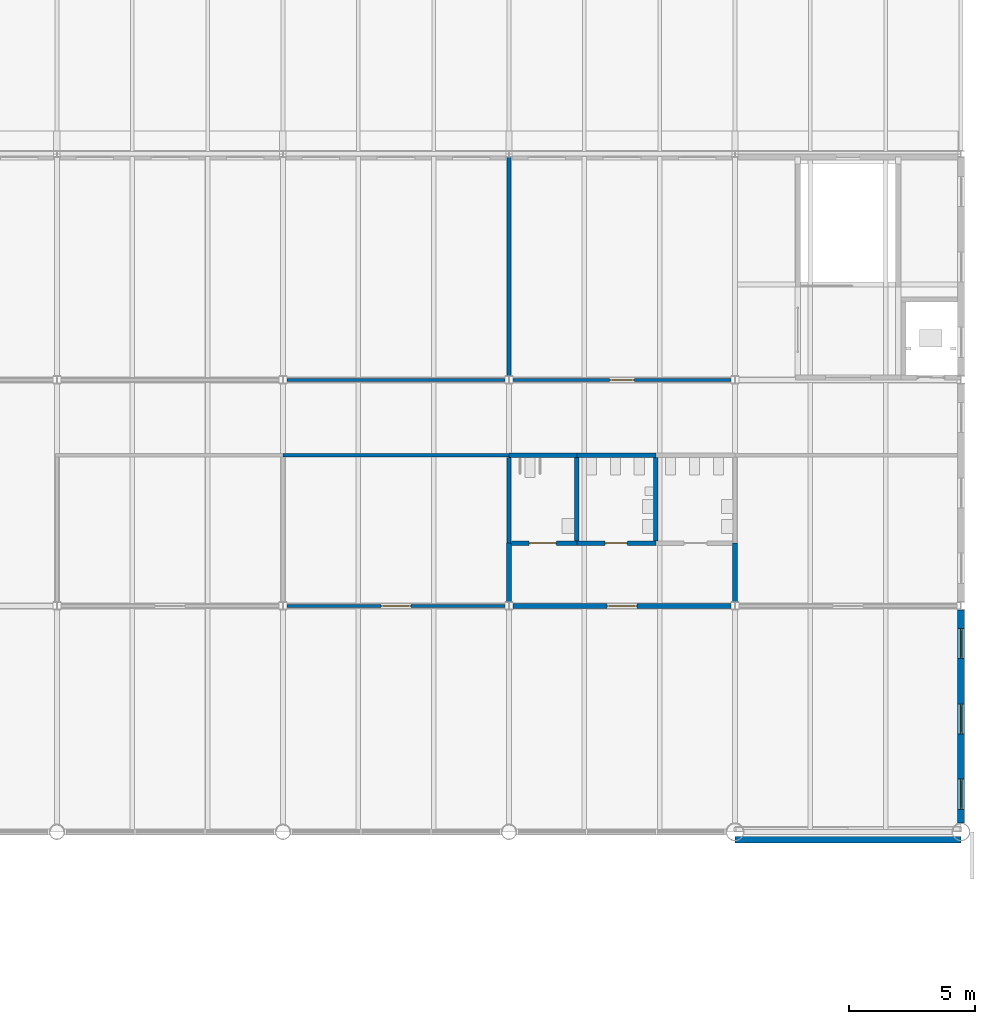
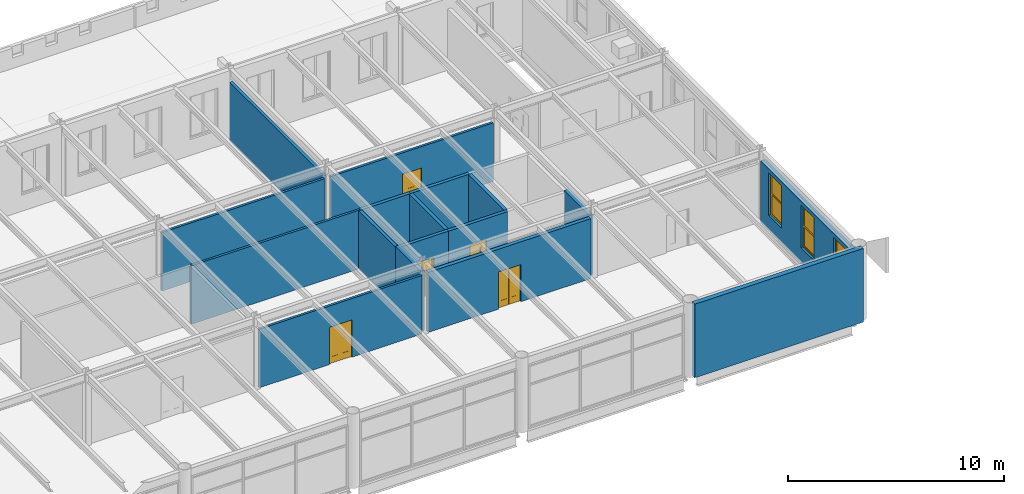
# One storey, part 82 of 123: 17 walls, 5 doors, 3 windows, 8 openings.
"""IFC4 building model written with IfcOpenShell, lengths in metres."""

from ifc_helpers import new_model, si_unit, direction, frame, frame_2d, origin, place, context, subcontext, project, spatial, polyline, rectangle, outline, extrude, material, layer, layer_set, type_object, element, fill, save


model = new_model("IFC4")

# Units and contexts
model_context = context("Model", 3, precision=1e-05, world=origin(), true_north=direction((0.0, 1.0)))
body_context = subcontext(model_context, "Body", "Model", "MODEL_VIEW")
ifc_project = project(units=[si_unit("LENGTHUNIT", "METRE"), si_unit("AREAUNIT", "SQUARE_METRE"), si_unit("VOLUMEUNIT", "CUBIC_METRE"), si_unit("PLANEANGLEUNIT", "RADIAN"), si_unit("MASSUNIT", "GRAM", prefix="KILO")], contexts=[model_context])

# Site, building, storey
site_placement = place(None, origin())
site = spatial("IfcSite", under=ifc_project, at=site_placement, CompositionType="ELEMENT")
building_placement = place(site_placement, origin())
building = spatial("IfcBuilding", under=site, at=building_placement, Name="Baradari Gate Terminus", CompositionType="ELEMENT")
storey_placement = place(building_placement, frame((0.0, 0.0, 7.5)))
storey = spatial("IfcBuildingStorey", under=building, at=storey_placement, Name="L01", CompositionType="ELEMENT", Elevation=7.5)

# Walls
ifc_material_1 = material(Name="Gypsum board")
ifc_layer_1 = layer(ifc_material_1, 0.125)
ifc_layer_set_1 = layer_set([ifc_layer_1], Name="Gypsum board")
wall_type_1 = type_object("IfcWallType", Name="Corridor partition PT-5 125 EI 30", PredefinedType="PARTITIONING", material=ifc_layer_set_1)
wall_1_placement = place(storey_placement, frame((225.0, 96.0, 0.0), z_axis=(0.0, 0.0, 1.0), x_axis=(-1.0, 0.0, 0.0)))
element("IfcWall", 1, at=wall_1_placement, inside=storey, type_object=wall_type_1, Name="PT-5 partition Corridor (Service Corridor East) / Station Office 8", PredefinedType="PARTITIONING", context=body_context, shape_type="SweptSolid", body=[
    extrude(rectangle(XDim=9.0, YDim=0.125, at=frame_2d((4.5, 0.0))), origin(), (0.0, 0.0, 1.0), 3.306884765625),
])
wall_2_placement = place(storey_placement, frame((216.15380859375, 99.0, 0.0), z_axis=(0.0, 0.0, 1.0), x_axis=(1.0, 0.0, 0.0)))
element("IfcWall", 2, at=wall_2_placement, inside=storey, type_object=wall_type_1, Name="PT-5 partition Corridor (Service Corridor East) / Open Office", PredefinedType="PARTITIONING", context=body_context, shape_type="SweptSolid", body=[
    extrude(rectangle(XDim=8.6923828125, YDim=0.125, at=frame_2d((4.34619140625, 0.0))), origin(), (0.0, 0.0, 1.0), 3.306884765625),
])

# Wall, opening, door
wall_3_placement = place(storey_placement, frame((225.15380859375, 99.0, 0.0), z_axis=(0.0, 0.0, 1.0), x_axis=(1.0, 0.0, 0.0)))
wall_3 = element("IfcWall", 3, at=wall_3_placement, inside=storey, type_object=wall_type_1, Name="PT-5 partition Corridor (Service Corridor East) / Archive Store", PredefinedType="PARTITIONING", context=body_context, shape_type="SweptSolid", body=[
    extrude(rectangle(XDim=8.6923828125, YDim=0.125, at=frame_2d((4.34619140625, 0.0))), origin(), (0.0, 0.0, 1.0), 3.306884765625),
])
opening_1_placement = place(wall_3_placement, frame((3.84619140625, 0.0, 0.0)))
opening_1 = element("IfcOpeningElement", 4, at=opening_1_placement, cuts=wall_3, Name="Opening D01-060", PredefinedType="OPENING", context=body_context, shape_type="SweptSolid", body=[
    extrude(rectangle(XDim=1.0, YDim=2.10009765625, at=frame_2d((0.5, 1.050048828125))), frame((0.0, 0.072509765625, 0.0), z_axis=(0.0, -1.0, 0.0), x_axis=(1.0, 0.0, 0.0)), (0.0, 0.0, 1.0), 0.14501953125),
])
ifc_material_2 = material(Name="Steel S275", Category="steel")
door_type_1 = type_object("IfcDoorType", Name="Fire door FI-1000-FD30S 1000x2100 FD30S", OperationType="SINGLE_SWING_LEFT", PredefinedType="DOOR", material=ifc_material_2)
door_1_placement = place(opening_1_placement, origin())
door_1 = element("IfcDoor", 5, at=door_1_placement, inside=storey, type_object=door_type_1, Name="Door Archive Store", OperationType="SINGLE_SWING_LEFT", OverallHeight=2.1, OverallWidth=1.0, PredefinedType="DOOR", context=body_context, shape_type="SweptSolid", body=[
    extrude(outline(polyline([(0.0, 0.0), (0.070068359375, 0.0), (0.070068359375, 2.030029296875), (0.929931640625, 2.030029296875), (0.929931640625, 0.0), (1.0, 0.0), (1.0, 2.10009765625), (0.0, 2.10009765625), (0.0, 0.0)])), frame((0.0, 0.02490234375, 0.0), z_axis=(0.0, -1.0, 0.0), x_axis=(1.0, 0.0, 0.0)), (0.0, 0.0, 1.0), 0.050048828125),
    extrude(outline(polyline([(0.073974609375, 0.010009765625), (0.926025390625, 0.010009765625), (0.926025390625, 2.026123046875), (0.073974609375, 2.026123046875), (0.073974609375, 0.010009765625)]), holes=[polyline([(0.194091796875, 0.159912109375), (0.805908203125, 0.159912109375), (0.805908203125, 1.010009765625), (0.194091796875, 1.010009765625), (0.194091796875, 0.159912109375)]), polyline([(0.35009765625, 1.159912109375), (0.64990234375, 1.159912109375), (0.64990234375, 1.760009765625), (0.35009765625, 1.760009765625), (0.35009765625, 1.159912109375)])]), frame((0.0, 0.017333984375, 0.0), z_axis=(0.0, -1.0, 0.0), x_axis=(1.0, 0.0, 0.0)), (0.0, 0.0, 1.0), 0.034912109375),
    extrude(rectangle(XDim=0.61181640625, YDim=0.85009765625, at=frame_2d((0.5, 0.5849609375))), frame((0.0, 0.008544921875, 0.0), z_axis=(0.0, -1.0, 0.0), x_axis=(1.0, 0.0, 0.0)), (0.0, 0.0, 1.0), 0.017333984375),
    extrude(rectangle(XDim=0.2998046875, YDim=0.60009765625, at=frame_2d((0.5, 1.4599609375))), frame((0.0, 0.005859375, 0.0), z_axis=(0.0, -1.0, 0.0), x_axis=(1.0, 0.0, 0.0)), (0.0, 0.0, 1.0), 0.011962890625),
])
fill(opening_1, door_1)

wall_4_placement = place(storey_placement, frame((216.15380859375, 90.0, 0.0), z_axis=(0.0, 0.0, 1.0), x_axis=(1.0, 0.0, 0.0)))
wall_4 = element("IfcWall", 6, at=wall_4_placement, inside=storey, type_object=wall_type_1, Name="PT-5 partition Gallery / Station Office 8", PredefinedType="PARTITIONING", context=body_context, shape_type="SweptSolid", body=[
    extrude(rectangle(XDim=8.6923828125, YDim=0.125, at=frame_2d((4.34619140625, 0.0))), origin(), (0.0, 0.0, 1.0), 3.306884765625),
])
opening_2_placement = place(wall_4_placement, frame((3.746337890625, 0.0, 0.0)))
opening_2 = element("IfcOpeningElement", 7, at=opening_2_placement, cuts=wall_4, Name="Opening D01-046", PredefinedType="OPENING", context=body_context, shape_type="SweptSolid", body=[
    extrude(rectangle(XDim=1.199951171875, YDim=2.10009765625, at=frame_2d((0.60009765625, 1.050048828125))), frame((0.0, 0.072509765625, 0.0), z_axis=(0.0, -1.0, 0.0), x_axis=(1.0, 0.0, 0.0)), (0.0, 0.0, 1.0), 0.14501953125),
])
ifc_material_3 = material(Name="Steel S275", Category="steel")
door_type_2 = type_object("IfcDoorType", Name="Fire door FI-1200-FD30S 1200x2100 FD30S", OperationType="DOUBLE_DOOR_SINGLE_SWING", PredefinedType="DOOR", material=ifc_material_3)
door_2_placement = place(opening_2_placement, origin())
door_2 = element("IfcDoor", 8, at=door_2_placement, inside=storey, type_object=door_type_2, Name="Door Station Office 8", OperationType="DOUBLE_DOOR_SINGLE_SWING", OverallHeight=2.1, OverallWidth=1.2, PredefinedType="DOOR", context=body_context, shape_type="SweptSolid", body=[
    extrude(outline(polyline([(0.0, 0.0), (0.070068359375, 0.0), (0.070068359375, 2.030029296875), (1.1298828125, 2.030029296875), (1.1298828125, 0.0), (1.199951171875, 0.0), (1.199951171875, 2.10009765625), (0.0, 2.10009765625), (0.0, 0.0)])), frame((0.0, 0.02490234375, 0.0), z_axis=(0.0, -1.0, 0.0), x_axis=(1.0, 0.0, 0.0)), (0.0, 0.0, 1.0), 0.050048828125),
    extrude(outline(polyline([(0.073974609375, 0.010009765625), (0.596923828125, 0.010009765625), (0.596923828125, 2.026123046875), (0.073974609375, 2.026123046875), (0.073974609375, 0.010009765625)]), holes=[polyline([(0.178466796875, 0.372802734375), (0.492431640625, 0.372802734375), (0.492431640625, 1.7841796875), (0.178466796875, 1.7841796875), (0.178466796875, 0.372802734375)])]), frame((0.0, 0.017333984375, 0.0), z_axis=(0.0, -1.0, 0.0), x_axis=(1.0, 0.0, 0.0)), (0.0, 0.0, 1.0), 0.034912109375),
    extrude(rectangle(XDim=0.31396484375, YDim=1.411376953125, at=frame_2d((0.33544921875, 1.07861328125))), frame((0.0, 0.008544921875, 0.0), z_axis=(0.0, -1.0, 0.0), x_axis=(1.0, 0.0, 0.0)), (0.0, 0.0, 1.0), 0.017333984375),
    extrude(outline(polyline([(0.60302734375, 0.010009765625), (1.1259765625, 0.010009765625), (1.1259765625, 2.026123046875), (0.60302734375, 2.026123046875), (0.60302734375, 0.010009765625)]), holes=[polyline([(0.70751953125, 0.372802734375), (1.021484375, 0.372802734375), (1.021484375, 1.7841796875), (0.70751953125, 1.7841796875), (0.70751953125, 0.372802734375)])]), frame((0.0, 0.017333984375, 0.0), z_axis=(0.0, -1.0, 0.0), x_axis=(1.0, 0.0, 0.0)), (0.0, 0.0, 1.0), 0.034912109375),
    extrude(rectangle(XDim=0.31396484375, YDim=1.411376953125, at=frame_2d((0.864501953125, 1.07861328125))), frame((0.0, 0.008544921875, 0.0), z_axis=(0.0, -1.0, 0.0), x_axis=(1.0, 0.0, 0.0)), (0.0, 0.0, 1.0), 0.017333984375),
])
fill(opening_2, door_2)

# Wall, openings, windows
ifc_material_4 = material(Name="Concrete C40/50 precast", Category="concrete")
ifc_layer_2 = layer(ifc_material_4, 0.23)
ifc_material_5 = material(Name="Reconstituted stone", Category="masonry")
ifc_layer_3 = layer(ifc_material_5, 0.05)
ifc_layer_set_2 = layer_set([ifc_layer_2, ifc_layer_3], Name="Concrete C40/50 precast")
wall_type_2 = type_object("IfcWallType", Name="End wall WE-1 280", PredefinedType="SOLIDWALL", material=ifc_layer_set_2)
wall_5_placement = place(storey_placement, frame((243.0, 81.35546875, 0.0), z_axis=(0.0, 0.0, 1.0), x_axis=(0.0, 1.0, 0.0)))
wall_5 = element("IfcWall", 9, at=wall_5_placement, inside=storey, type_object=wall_type_2, Name="east end wall HE bay 10 L01", PredefinedType="SOLIDWALL", context=body_context, shape_type="SweptSolid", body=[
    extrude(rectangle(XDim=8.4873046875, YDim=0.280029296875, at=frame_2d((4.24365234375, 0.0))), origin(), (0.0, 0.0, 1.0), 3.516845703125),
])
opening_3_placement = place(wall_5_placement, frame((0.54443359375, 0.0, 0.89990234375)))
opening_3 = element("IfcOpeningElement", 10, at=opening_3_placement, cuts=wall_5, Name="Opening W12", PredefinedType="OPENING", context=body_context, shape_type="SweptSolid", body=[
    extrude(rectangle(XDim=1.199951171875, YDim=2.39990234375, at=frame_2d((0.60009765625, 1.199951171875))), frame((0.0, 0.14990234375, 0.0), z_axis=(0.0, -1.0, 0.0), x_axis=(1.0, 0.0, 0.0)), (0.0, 0.0, 1.0), 0.300048828125),
])
opening_4_placement = place(wall_5_placement, frame((3.54443359375, 0.0, 0.89990234375)))
opening_4 = element("IfcOpeningElement", 11, at=opening_4_placement, cuts=wall_5, Name="Opening W12", PredefinedType="OPENING", context=body_context, shape_type="SweptSolid", body=[
    extrude(rectangle(XDim=1.199951171875, YDim=2.39990234375, at=frame_2d((0.60009765625, 1.199951171875))), frame((0.0, 0.14990234375, 0.0), z_axis=(0.0, -1.0, 0.0), x_axis=(1.0, 0.0, 0.0)), (0.0, 0.0, 1.0), 0.300048828125),
])
opening_5_placement = place(wall_5_placement, frame((6.54443359375, 0.0, 0.89990234375)))
opening_5 = element("IfcOpeningElement", 12, at=opening_5_placement, cuts=wall_5, Name="Opening W12", PredefinedType="OPENING", context=body_context, shape_type="SweptSolid", body=[
    extrude(rectangle(XDim=1.199951171875, YDim=2.39990234375, at=frame_2d((0.60009765625, 1.199951171875))), frame((0.0, 0.14990234375, 0.0), z_axis=(0.0, -1.0, 0.0), x_axis=(1.0, 0.0, 0.0)), (0.0, 0.0, 1.0), 0.300048828125),
])
ifc_material_6 = material(Name="Aluminium 6063-T6", Category="aluminium")
window_type = type_object("IfcWindowType", Name="End-wall window W12 1200x2400", PartitioningType="DOUBLE_PANEL_HORIZONTAL", PredefinedType="WINDOW", material=ifc_material_6)
window_1_placement = place(opening_3_placement, origin())
window_1 = element("IfcWindow", 13, at=window_1_placement, inside=storey, type_object=window_type, Name="Window W12 HE/09", OverallHeight=2.4, OverallWidth=1.2, PartitioningType="DOUBLE_PANEL_HORIZONTAL", PredefinedType="WINDOW", context=body_context, shape_type="SweptSolid", body=[
    extrude(outline(polyline([(0.0, 0.0), (1.199951171875, 0.0), (1.199951171875, 2.39990234375), (0.0, 2.39990234375), (0.0, 0.0)]), holes=[polyline([(0.070068359375, 0.070068359375), (1.1298828125, 0.070068359375), (1.1298828125, 2.329833984375), (0.070068359375, 2.329833984375), (0.070068359375, 0.070068359375)])]), frame((0.0, 0.030029296875, 0.0), z_axis=(0.0, -1.0, 0.0), x_axis=(1.0, 0.0, 0.0)), (0.0, 0.0, 1.0), 0.06005859375),
    extrude(rectangle(XDim=1.059814453125, YDim=0.0400390625, at=frame_2d((0.60009765625, 1.199951171875))), frame((0.0, 0.021484375, 0.0), z_axis=(0.0, -1.0, 0.0), x_axis=(1.0, 0.0, 0.0)), (0.0, 0.0, 1.0), 0.04296875),
    extrude(outline(polyline([(0.070068359375, 0.070068359375), (1.1298828125, 0.070068359375), (1.1298828125, 1.179931640625), (0.070068359375, 1.179931640625), (0.070068359375, 0.070068359375)]), holes=[polyline([(0.10009765625, 0.10009765625), (1.099853515625, 0.10009765625), (1.099853515625, 1.14990234375), (0.10009765625, 1.14990234375), (0.10009765625, 0.10009765625)])]), frame((0.0, 0.0224609375, 0.0), z_axis=(0.0, -1.0, 0.0), x_axis=(1.0, 0.0, 0.0)), (0.0, 0.0, 1.0), 0.044921875),
    extrude(rectangle(XDim=0.999755859375, YDim=1.0498046875, at=frame_2d((0.60009765625, 0.625))), frame((0.0, 0.006103515625, 0.0), z_axis=(0.0, -1.0, 0.0), x_axis=(1.0, 0.0, 0.0)), (0.0, 0.0, 1.0), 0.01220703125),
    extrude(outline(polyline([(0.070068359375, 1.219970703125), (1.1298828125, 1.219970703125), (1.1298828125, 2.329833984375), (0.070068359375, 2.329833984375), (0.070068359375, 1.219970703125)]), holes=[polyline([(0.10009765625, 1.25), (1.099853515625, 1.25), (1.099853515625, 2.2998046875), (0.10009765625, 2.2998046875), (0.10009765625, 1.25)])]), frame((0.0, 0.0224609375, 0.0), z_axis=(0.0, -1.0, 0.0), x_axis=(1.0, 0.0, 0.0)), (0.0, 0.0, 1.0), 0.044921875),
    extrude(rectangle(XDim=0.999755859375, YDim=1.0498046875, at=frame_2d((0.60009765625, 1.77490234375))), frame((0.0, 0.006103515625, 0.0), z_axis=(0.0, -1.0, 0.0), x_axis=(1.0, 0.0, 0.0)), (0.0, 0.0, 1.0), 0.01220703125),
])
fill(opening_3, window_1)
window_2_placement = place(opening_4_placement, origin())
window_2 = element("IfcWindow", 14, at=window_2_placement, inside=storey, type_object=window_type, Name="Window W12 HE/09", OverallHeight=2.4, OverallWidth=1.2, PartitioningType="DOUBLE_PANEL_HORIZONTAL", PredefinedType="WINDOW", context=body_context, shape_type="SweptSolid", body=[
    extrude(outline(polyline([(0.0, 0.0), (1.199951171875, 0.0), (1.199951171875, 2.39990234375), (0.0, 2.39990234375), (0.0, 0.0)]), holes=[polyline([(0.070068359375, 0.070068359375), (1.1298828125, 0.070068359375), (1.1298828125, 2.329833984375), (0.070068359375, 2.329833984375), (0.070068359375, 0.070068359375)])]), frame((0.0, 0.030029296875, 0.0), z_axis=(0.0, -1.0, 0.0), x_axis=(1.0, 0.0, 0.0)), (0.0, 0.0, 1.0), 0.06005859375),
    extrude(rectangle(XDim=1.059814453125, YDim=0.0400390625, at=frame_2d((0.60009765625, 1.199951171875))), frame((0.0, 0.021484375, 0.0), z_axis=(0.0, -1.0, 0.0), x_axis=(1.0, 0.0, 0.0)), (0.0, 0.0, 1.0), 0.04296875),
    extrude(outline(polyline([(0.070068359375, 0.070068359375), (1.1298828125, 0.070068359375), (1.1298828125, 1.179931640625), (0.070068359375, 1.179931640625), (0.070068359375, 0.070068359375)]), holes=[polyline([(0.10009765625, 0.10009765625), (1.099853515625, 0.10009765625), (1.099853515625, 1.14990234375), (0.10009765625, 1.14990234375), (0.10009765625, 0.10009765625)])]), frame((0.0, 0.0224609375, 0.0), z_axis=(0.0, -1.0, 0.0), x_axis=(1.0, 0.0, 0.0)), (0.0, 0.0, 1.0), 0.044921875),
    extrude(rectangle(XDim=0.999755859375, YDim=1.0498046875, at=frame_2d((0.60009765625, 0.625))), frame((0.0, 0.006103515625, 0.0), z_axis=(0.0, -1.0, 0.0), x_axis=(1.0, 0.0, 0.0)), (0.0, 0.0, 1.0), 0.01220703125),
    extrude(outline(polyline([(0.070068359375, 1.219970703125), (1.1298828125, 1.219970703125), (1.1298828125, 2.329833984375), (0.070068359375, 2.329833984375), (0.070068359375, 1.219970703125)]), holes=[polyline([(0.10009765625, 1.25), (1.099853515625, 1.25), (1.099853515625, 2.2998046875), (0.10009765625, 2.2998046875), (0.10009765625, 1.25)])]), frame((0.0, 0.0224609375, 0.0), z_axis=(0.0, -1.0, 0.0), x_axis=(1.0, 0.0, 0.0)), (0.0, 0.0, 1.0), 0.044921875),
    extrude(rectangle(XDim=0.999755859375, YDim=1.0498046875, at=frame_2d((0.60009765625, 1.77490234375))), frame((0.0, 0.006103515625, 0.0), z_axis=(0.0, -1.0, 0.0), x_axis=(1.0, 0.0, 0.0)), (0.0, 0.0, 1.0), 0.01220703125),
])
fill(opening_4, window_2)
window_3_placement = place(opening_5_placement, origin())
window_3 = element("IfcWindow", 15, at=window_3_placement, inside=storey, type_object=window_type, Name="Window W12 HE/09", OverallHeight=2.4, OverallWidth=1.2, PartitioningType="DOUBLE_PANEL_HORIZONTAL", PredefinedType="WINDOW", context=body_context, shape_type="SweptSolid", body=[
    extrude(outline(polyline([(0.0, 0.0), (1.199951171875, 0.0), (1.199951171875, 2.39990234375), (0.0, 2.39990234375), (0.0, 0.0)]), holes=[polyline([(0.070068359375, 0.070068359375), (1.1298828125, 0.070068359375), (1.1298828125, 2.329833984375), (0.070068359375, 2.329833984375), (0.070068359375, 0.070068359375)])]), frame((0.0, 0.030029296875, 0.0), z_axis=(0.0, -1.0, 0.0), x_axis=(1.0, 0.0, 0.0)), (0.0, 0.0, 1.0), 0.06005859375),
    extrude(rectangle(XDim=1.059814453125, YDim=0.0400390625, at=frame_2d((0.60009765625, 1.199951171875))), frame((0.0, 0.021484375, 0.0), z_axis=(0.0, -1.0, 0.0), x_axis=(1.0, 0.0, 0.0)), (0.0, 0.0, 1.0), 0.04296875),
    extrude(outline(polyline([(0.070068359375, 0.070068359375), (1.1298828125, 0.070068359375), (1.1298828125, 1.179931640625), (0.070068359375, 1.179931640625), (0.070068359375, 0.070068359375)]), holes=[polyline([(0.10009765625, 0.10009765625), (1.099853515625, 0.10009765625), (1.099853515625, 1.14990234375), (0.10009765625, 1.14990234375), (0.10009765625, 0.10009765625)])]), frame((0.0, 0.0224609375, 0.0), z_axis=(0.0, -1.0, 0.0), x_axis=(1.0, 0.0, 0.0)), (0.0, 0.0, 1.0), 0.044921875),
    extrude(rectangle(XDim=0.999755859375, YDim=1.0498046875, at=frame_2d((0.60009765625, 0.625))), frame((0.0, 0.006103515625, 0.0), z_axis=(0.0, -1.0, 0.0), x_axis=(1.0, 0.0, 0.0)), (0.0, 0.0, 1.0), 0.01220703125),
    extrude(outline(polyline([(0.070068359375, 1.219970703125), (1.1298828125, 1.219970703125), (1.1298828125, 2.329833984375), (0.070068359375, 2.329833984375), (0.070068359375, 1.219970703125)]), holes=[polyline([(0.10009765625, 1.25), (1.099853515625, 1.25), (1.099853515625, 2.2998046875), (0.10009765625, 2.2998046875), (0.10009765625, 1.25)])]), frame((0.0, 0.0224609375, 0.0), z_axis=(0.0, -1.0, 0.0), x_axis=(1.0, 0.0, 0.0)), (0.0, 0.0, 1.0), 0.044921875),
    extrude(rectangle(XDim=0.999755859375, YDim=1.0498046875, at=frame_2d((0.60009765625, 1.77490234375))), frame((0.0, 0.006103515625, 0.0), z_axis=(0.0, -1.0, 0.0), x_axis=(1.0, 0.0, 0.0)), (0.0, 0.0, 1.0), 0.01220703125),
])
fill(opening_5, window_3)

# Wall
ifc_material_7 = material(Name="Laterite masonry", Category="masonry")
ifc_layer_4 = layer(ifc_material_7, 0.25)
ifc_layer_set_3 = layer_set([ifc_layer_4], Name="Laterite masonry")
wall_type_3 = type_object("IfcWallType", Name="Laterite masonry wall WP-1 250", PredefinedType="SOLIDWALL", material=ifc_layer_set_3)
wall_6_placement = place(storey_placement, frame((234.0, 80.68994140625, 0.0), z_axis=(0.0, 0.0, 1.0), x_axis=(1.0, 0.0, 0.0)))
element("IfcWall", 16, at=wall_6_placement, inside=storey, type_object=wall_type_3, Name="External wall platform side bay 26 L01", PredefinedType="SOLIDWALL", context=body_context, shape_type="SweptSolid", body=[
    extrude(rectangle(XDim=9.0, YDim=0.25, at=frame_2d((4.5, 0.0))), origin(), (0.0, 0.0, 1.0), 4.15869140625),
])

# Wall, opening, door
ifc_material_8 = material(Name="Blockwork wall, plastered, fire rated", Category="masonry")
ifc_layer_5 = layer(ifc_material_8, 0.199951171875)
ifc_layer_set_4 = layer_set([ifc_layer_5], Name="Blockwork wall, plastered, fire rated")
wall_type_4 = type_object("IfcWallType", Name="Lobby partition PT-4 200 EI 60", PredefinedType="PARTITIONING", material=ifc_layer_set_4)
wall_7_placement = place(storey_placement, frame((225.15380859375, 90.0, 0.0), z_axis=(0.0, 0.0, 1.0), x_axis=(1.0, 0.0, 0.0)))
wall_7 = element("IfcWall", 17, at=wall_7_placement, inside=storey, type_object=wall_type_4, Name="PT-4 partition Gallery / WC Lobby", PredefinedType="PARTITIONING", context=body_context, shape_type="SweptSolid", body=[
    extrude(rectangle(XDim=8.6923828125, YDim=0.199951171875, at=frame_2d((4.34619140625, 0.0))), origin(), (0.0, 0.0, 1.0), 3.382080078125),
])
opening_6_placement = place(wall_7_placement, frame((3.746337890625, 0.0, 0.0)))
opening_6 = element("IfcOpeningElement", 18, at=opening_6_placement, cuts=wall_7, Name="Opening D01-047", PredefinedType="OPENING", context=body_context, shape_type="SweptSolid", body=[
    extrude(rectangle(XDim=1.199951171875, YDim=2.10009765625, at=frame_2d((0.60009765625, 1.050048828125))), frame((0.0, 0.10986328125, 0.0), z_axis=(0.0, -1.0, 0.0), x_axis=(1.0, 0.0, 0.0)), (0.0, 0.0, 1.0), 0.219970703125),
])
ifc_material_9 = material(Name="Steel S275", Category="steel")
door_type_3 = type_object("IfcDoorType", Name="Fire door FI-1200-FD60S 1200x2100 FD60S", OperationType="DOUBLE_DOOR_SINGLE_SWING", PredefinedType="DOOR", material=ifc_material_9)
door_3_placement = place(opening_6_placement, origin())
door_3 = element("IfcDoor", 19, at=door_3_placement, inside=storey, type_object=door_type_3, Name="Door WC Lobby", OperationType="DOUBLE_DOOR_SINGLE_SWING", OverallHeight=2.1, OverallWidth=1.2, PredefinedType="DOOR", context=body_context, shape_type="SweptSolid", body=[
    extrude(outline(polyline([(0.0, 0.0), (0.070068359375, 0.0), (0.070068359375, 2.030029296875), (1.1298828125, 2.030029296875), (1.1298828125, 0.0), (1.199951171875, 0.0), (1.199951171875, 2.10009765625), (0.0, 2.10009765625), (0.0, 0.0)])), frame((0.0, 0.02490234375, 0.0), z_axis=(0.0, -1.0, 0.0), x_axis=(1.0, 0.0, 0.0)), (0.0, 0.0, 1.0), 0.050048828125),
    extrude(outline(polyline([(0.073974609375, 0.010009765625), (0.596923828125, 0.010009765625), (0.596923828125, 2.026123046875), (0.073974609375, 2.026123046875), (0.073974609375, 0.010009765625)]), holes=[polyline([(0.178466796875, 0.372802734375), (0.492431640625, 0.372802734375), (0.492431640625, 1.7841796875), (0.178466796875, 1.7841796875), (0.178466796875, 0.372802734375)])]), frame((0.0, 0.017333984375, 0.0), z_axis=(0.0, -1.0, 0.0), x_axis=(1.0, 0.0, 0.0)), (0.0, 0.0, 1.0), 0.034912109375),
    extrude(rectangle(XDim=0.31396484375, YDim=1.411376953125, at=frame_2d((0.33544921875, 1.07861328125))), frame((0.0, 0.008544921875, 0.0), z_axis=(0.0, -1.0, 0.0), x_axis=(1.0, 0.0, 0.0)), (0.0, 0.0, 1.0), 0.017333984375),
    extrude(outline(polyline([(0.60302734375, 0.010009765625), (1.1259765625, 0.010009765625), (1.1259765625, 2.026123046875), (0.60302734375, 2.026123046875), (0.60302734375, 0.010009765625)]), holes=[polyline([(0.70751953125, 0.372802734375), (1.021484375, 0.372802734375), (1.021484375, 1.7841796875), (0.70751953125, 1.7841796875), (0.70751953125, 0.372802734375)])]), frame((0.0, 0.017333984375, 0.0), z_axis=(0.0, -1.0, 0.0), x_axis=(1.0, 0.0, 0.0)), (0.0, 0.0, 1.0), 0.034912109375),
    extrude(rectangle(XDim=0.31396484375, YDim=1.411376953125, at=frame_2d((0.864501953125, 1.07861328125))), frame((0.0, 0.008544921875, 0.0), z_axis=(0.0, -1.0, 0.0), x_axis=(1.0, 0.0, 0.0)), (0.0, 0.0, 1.0), 0.017333984375),
])
fill(opening_6, door_3)

# Walls
for number, where, z_axis, x_axis, name in (
    (20, (225.0, 92.5, 0.0), (0.0, 0.0, 1.0), (0.0, -1.0, 0.0), "PT-4 partition Station Office 8 / WC Lobby"),
    (21, (234.0, 92.5, 0.0), (0.0, 0.0, 1.0), (0.0, -1.0, 0.0), "PT-4 partition WC Lobby / Station Office 9"),
):
    element("IfcWall", number, at=place(storey_placement, frame(where, z_axis=z_axis, x_axis=x_axis)), inside=storey, type_object=wall_type_4, Name=name, PredefinedType="PARTITIONING", context=body_context, shape_type="SweptSolid", body=[
        extrude(rectangle(XDim=2.3427734375, YDim=0.199951171875, at=frame_2d((1.17138671875, 0.0))), origin(), (0.0, 0.0, 1.0), 3.382080078125),
    ])
ifc_material_10 = material(Name="Blockwork wall, plastered", Category="masonry")
ifc_layer_6 = layer(ifc_material_10, 0.14990234375)
ifc_layer_set_5 = layer_set([ifc_layer_6], Name="Blockwork wall, plastered")
wall_type_5 = type_object("IfcWallType", Name="Partition PT-2 150 EI 60", PredefinedType="PARTITIONING", material=ifc_layer_set_5)
wall_8_placement = place(storey_placement, frame((225.0, 107.869873046875, 0.0), z_axis=(0.0, 0.0, 1.0), x_axis=(0.0, -1.0, 0.0)))
element("IfcWall", 22, at=wall_8_placement, inside=storey, type_object=wall_type_5, Name="PT-2 partition Open Office / Archive Store", PredefinedType="PARTITIONING", context=body_context, shape_type="SweptSolid", body=[
    extrude(rectangle(XDim=8.712646484375, YDim=0.14990234375, at=frame_2d((4.3564453125, 0.0))), origin(), (0.0, 0.0, 1.0), 3.306884765625),
])
ifc_material_11 = material(Name="Blockwork wall, tiled both faces", Category="masonry")
ifc_layer_7 = layer(ifc_material_11, 0.175048828125)
ifc_layer_set_6 = layer_set([ifc_layer_7], Name="Blockwork wall, tiled both faces")
wall_type_6 = type_object("IfcWallType", Name="WC wet wall PT-6 175 EI 60", PredefinedType="PARTITIONING", material=ifc_layer_set_6)
wall_9_placement = place(storey_placement, frame((227.699951171875, 96.0, 0.0), z_axis=(0.0, 0.0, 1.0), x_axis=(-1.0, 0.0, 0.0)))
element("IfcWall", 23, at=wall_9_placement, inside=storey, type_object=wall_type_6, Name="PT-6 partition Corridor (Service Corridor East) / Accessible WC", PredefinedType="PARTITIONING", context=body_context, shape_type="SweptSolid", body=[
    extrude(rectangle(XDim=2.699951171875, YDim=0.175048828125, at=frame_2d((1.35009765625, 0.0))), origin(), (0.0, 0.0, 1.0), 3.306884765625),
])
wall_10_placement = place(storey_placement, frame((230.85009765625, 96.0, 0.0), z_axis=(0.0, 0.0, 1.0), x_axis=(-1.0, 0.0, 0.0)))
element("IfcWall", 24, at=wall_10_placement, inside=storey, type_object=wall_type_6, Name="PT-6 partition Corridor (Service Corridor East) / Male WC", PredefinedType="PARTITIONING", context=body_context, shape_type="SweptSolid", body=[
    extrude(rectangle(XDim=3.150146484375, YDim=0.175048828125, at=frame_2d((1.5751953125, 0.0))), origin(), (0.0, 0.0, 1.0), 3.306884765625),
])
wall_11_placement = place(storey_placement, frame((225.0, 95.91259765625, 0.0), z_axis=(0.0, 0.0, 1.0), x_axis=(0.0, -1.0, 0.0)))
element("IfcWall", 25, at=wall_11_placement, inside=storey, type_object=wall_type_6, Name="PT-6 partition Station Office 8 / Accessible WC", PredefinedType="PARTITIONING", context=body_context, shape_type="SweptSolid", body=[
    extrude(rectangle(XDim=3.41259765625, YDim=0.175048828125, at=frame_2d((1.706298828125, 0.0))), origin(), (0.0, 0.0, 1.0), 3.306884765625),
])

# Wall, opening, door
wall_12_placement = place(storey_placement, frame((225.10009765625, 92.5, 0.0), z_axis=(0.0, 0.0, 1.0), x_axis=(1.0, 0.0, 0.0)))
wall_12 = element("IfcWall", 26, at=wall_12_placement, inside=storey, type_object=wall_type_6, Name="PT-6 partition WC Lobby / Accessible WC", PredefinedType="PARTITIONING", context=body_context, shape_type="SweptSolid", body=[
    extrude(rectangle(XDim=2.599853515625, YDim=0.175048828125, at=frame_2d((1.2998046875, 0.0))), origin(), (0.0, 0.0, 1.0), 3.306884765625),
])
opening_7_placement = place(wall_12_placement, frame((0.699951171875, 0.0, 0.0)))
opening_7 = element("IfcOpeningElement", 27, at=opening_7_placement, cuts=wall_12, Name="Opening D01-048", PredefinedType="OPENING", context=body_context, shape_type="SweptSolid", body=[
    extrude(rectangle(XDim=1.10009765625, YDim=2.10009765625, at=frame_2d((0.550048828125, 1.050048828125))), frame((0.0, 0.097412109375, 0.0), z_axis=(0.0, -1.0, 0.0), x_axis=(1.0, 0.0, 0.0)), (0.0, 0.0, 1.0), 0.195068359375),
])
ifc_material_12 = material(Name="Steel S275", Category="steel")
door_type_4 = type_object("IfcDoorType", Name="Fire door FI-1100-FD60S 1100x2100 FD60S", OperationType="SINGLE_SWING_LEFT", PredefinedType="DOOR", material=ifc_material_12)
door_4_placement = place(opening_7_placement, origin())
door_4 = element("IfcDoor", 28, at=door_4_placement, inside=storey, type_object=door_type_4, Name="Door Accessible WC", OperationType="SINGLE_SWING_LEFT", OverallHeight=2.1, OverallWidth=1.1, PredefinedType="DOOR", context=body_context, shape_type="SweptSolid", body=[
    extrude(outline(polyline([(0.0, 0.0), (0.070068359375, 0.0), (0.070068359375, 2.030029296875), (1.030029296875, 2.030029296875), (1.030029296875, 0.0), (1.10009765625, 0.0), (1.10009765625, 2.10009765625), (0.0, 2.10009765625), (0.0, 0.0)])), frame((0.0, 0.02490234375, 0.0), z_axis=(0.0, -1.0, 0.0), x_axis=(1.0, 0.0, 0.0)), (0.0, 0.0, 1.0), 0.050048828125),
    extrude(outline(polyline([(0.073974609375, 0.010009765625), (1.026123046875, 0.010009765625), (1.026123046875, 2.026123046875), (0.073974609375, 2.026123046875), (0.073974609375, 0.010009765625)]), holes=[polyline([(0.194091796875, 0.159912109375), (0.906005859375, 0.159912109375), (0.906005859375, 1.010009765625), (0.194091796875, 1.010009765625), (0.194091796875, 0.159912109375)]), polyline([(0.400146484375, 1.159912109375), (0.699951171875, 1.159912109375), (0.699951171875, 1.760009765625), (0.400146484375, 1.760009765625), (0.400146484375, 1.159912109375)])]), frame((0.0, 0.017333984375, 0.0), z_axis=(0.0, -1.0, 0.0), x_axis=(1.0, 0.0, 0.0)), (0.0, 0.0, 1.0), 0.034912109375),
    extrude(rectangle(XDim=0.7119140625, YDim=0.85009765625, at=frame_2d((0.550048828125, 0.5849609375))), frame((0.0, 0.008544921875, 0.0), z_axis=(0.0, -1.0, 0.0), x_axis=(1.0, 0.0, 0.0)), (0.0, 0.0, 1.0), 0.017333984375),
    extrude(rectangle(XDim=0.2998046875, YDim=0.60009765625, at=frame_2d((0.550048828125, 1.4599609375))), frame((0.0, 0.005859375, 0.0), z_axis=(0.0, -1.0, 0.0), x_axis=(1.0, 0.0, 0.0)), (0.0, 0.0, 1.0), 0.011962890625),
])
fill(opening_7, door_4)

wall_13_placement = place(storey_placement, frame((227.699951171875, 92.5, 0.0), z_axis=(0.0, 0.0, 1.0), x_axis=(1.0, 0.0, 0.0)))
wall_13 = element("IfcWall", 29, at=wall_13_placement, inside=storey, type_object=wall_type_6, Name="PT-6 partition WC Lobby / Male WC", PredefinedType="PARTITIONING", context=body_context, shape_type="SweptSolid", body=[
    extrude(rectangle(XDim=3.150146484375, YDim=0.175048828125, at=frame_2d((1.5751953125, 0.0))), origin(), (0.0, 0.0, 1.0), 3.306884765625),
])
opening_8_placement = place(wall_13_placement, frame((1.125, 0.0, 0.0)))
opening_8 = element("IfcOpeningElement", 30, at=opening_8_placement, cuts=wall_13, Name="Opening D01-049", PredefinedType="OPENING", context=body_context, shape_type="SweptSolid", body=[
    extrude(rectangle(XDim=0.89990234375, YDim=2.10009765625, at=frame_2d((0.449951171875, 1.050048828125))), frame((0.0, 0.097412109375, 0.0), z_axis=(0.0, -1.0, 0.0), x_axis=(1.0, 0.0, 0.0)), (0.0, 0.0, 1.0), 0.195068359375),
])
ifc_material_13 = material(Name="Steel S275", Category="steel")
door_type_5 = type_object("IfcDoorType", Name="Fire door FI-900-FD60S 900x2100 FD60S", OperationType="SINGLE_SWING_LEFT", PredefinedType="DOOR", material=ifc_material_13)
door_5_placement = place(opening_8_placement, origin())
door_5 = element("IfcDoor", 31, at=door_5_placement, inside=storey, type_object=door_type_5, Name="Door Male WC", OperationType="SINGLE_SWING_LEFT", OverallHeight=2.1, OverallWidth=0.9, PredefinedType="DOOR", context=body_context, shape_type="SweptSolid", body=[
    extrude(outline(polyline([(0.0, 0.0), (0.070068359375, 0.0), (0.070068359375, 2.030029296875), (0.829833984375, 2.030029296875), (0.829833984375, 0.0), (0.89990234375, 0.0), (0.89990234375, 2.10009765625), (0.0, 2.10009765625), (0.0, 0.0)])), frame((0.0, 0.02490234375, 0.0), z_axis=(0.0, -1.0, 0.0), x_axis=(1.0, 0.0, 0.0)), (0.0, 0.0, 1.0), 0.050048828125),
    extrude(outline(polyline([(0.073974609375, 0.010009765625), (0.825927734375, 0.010009765625), (0.825927734375, 2.026123046875), (0.073974609375, 2.026123046875), (0.073974609375, 0.010009765625)]), holes=[polyline([(0.194091796875, 0.159912109375), (0.705810546875, 0.159912109375), (0.705810546875, 1.010009765625), (0.194091796875, 1.010009765625), (0.194091796875, 0.159912109375)]), polyline([(0.300048828125, 1.159912109375), (0.599853515625, 1.159912109375), (0.599853515625, 1.760009765625), (0.300048828125, 1.760009765625), (0.300048828125, 1.159912109375)])]), frame((0.0, 0.017333984375, 0.0), z_axis=(0.0, -1.0, 0.0), x_axis=(1.0, 0.0, 0.0)), (0.0, 0.0, 1.0), 0.034912109375),
    extrude(rectangle(XDim=0.51171875, YDim=0.85009765625, at=frame_2d((0.449951171875, 0.5849609375))), frame((0.0, 0.008544921875, 0.0), z_axis=(0.0, -1.0, 0.0), x_axis=(1.0, 0.0, 0.0)), (0.0, 0.0, 1.0), 0.017333984375),
    extrude(rectangle(XDim=0.2998046875, YDim=0.60009765625, at=frame_2d((0.449951171875, 1.4599609375))), frame((0.0, 0.005859375, 0.0), z_axis=(0.0, -1.0, 0.0), x_axis=(1.0, 0.0, 0.0)), (0.0, 0.0, 1.0), 0.011962890625),
])
fill(opening_8, door_5)

# Walls
for number, where, z_axis, x_axis, name in (
    (32, (227.699951171875, 95.91259765625, 0.0), (0.0, 0.0, 1.0), (0.0, -1.0, 0.0), "PT-6 partition Accessible WC / Male WC"),
    (33, (230.85009765625, 95.91259765625, 0.0), (0.0, 0.0, 1.0), (0.0, -1.0, 0.0), "PT-6 partition Male WC / Female WC"),
):
    element("IfcWall", number, at=place(storey_placement, frame(where, z_axis=z_axis, x_axis=x_axis)), inside=storey, type_object=wall_type_6, Name=name, PredefinedType="PARTITIONING", context=body_context, shape_type="SweptSolid", body=[
        extrude(rectangle(XDim=3.3251953125, YDim=0.175048828125, at=frame_2d((1.66259765625, 0.0))), origin(), (0.0, 0.0, 1.0), 3.306884765625),
    ])

save(model, "model.ifc")
